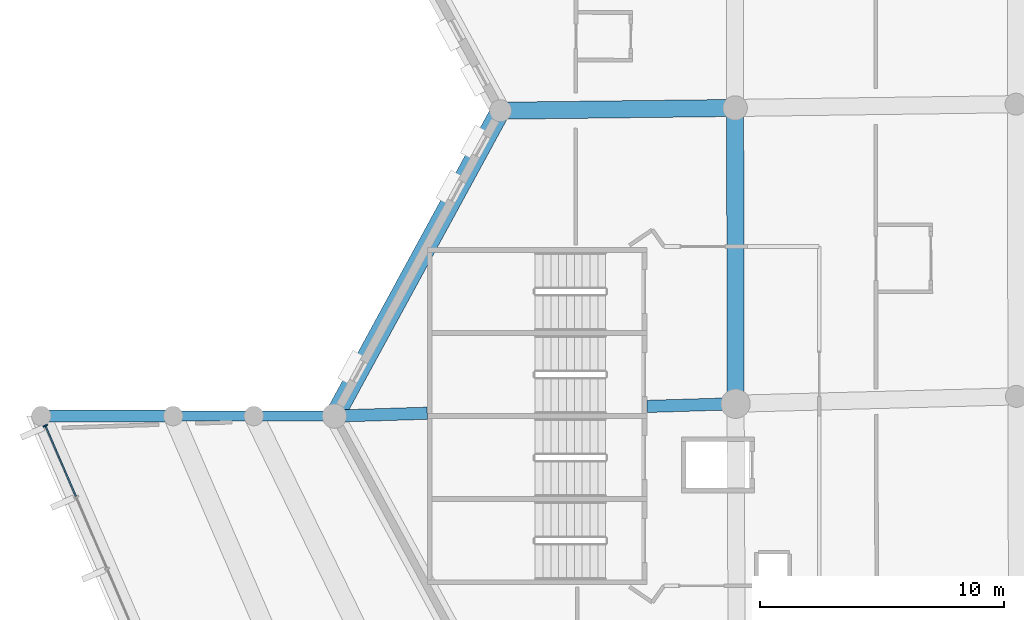
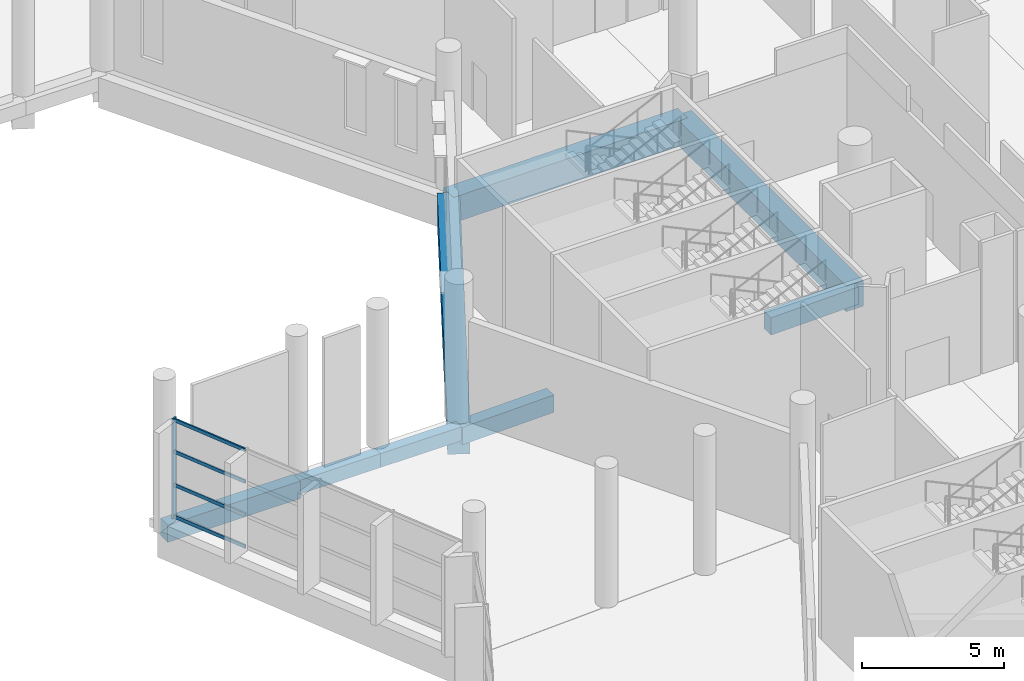
# One storey, part 24 of 249: 8 beams, 5 members, 1 element without a shape of its own.
"""IFC4 building model written with IfcOpenShell, lengths in metres."""

from ifc_helpers import new_model, si_unit, direction, frame, origin, origin_2d, place, context, subcontext, project, spatial, rectangle, extrude, material, layer, layer_set, material_profile, profile_set, type_object, element, aggregate, save


model = new_model("IFC4")

# Units and contexts
model_context = context("Model", 3, precision=1e-05, world=origin(), true_north=direction((0.0, 1.0)))
body_context = subcontext(model_context, "Body", "Model", "MODEL_VIEW")
ifc_project = project(units=[si_unit("LENGTHUNIT", "METRE"), si_unit("AREAUNIT", "SQUARE_METRE"), si_unit("VOLUMEUNIT", "CUBIC_METRE"), si_unit("PLANEANGLEUNIT", "RADIAN"), si_unit("MASSUNIT", "GRAM", prefix="KILO")], contexts=[model_context])

# Site, building, storey
site_placement = place(None, origin())
site = spatial("IfcSite", under=ifc_project, at=site_placement, CompositionType="ELEMENT")
building_placement = place(site_placement, origin())
building = spatial("IfcBuilding", under=site, at=building_placement, Name="Meseta Stadium", CompositionType="ELEMENT")
storey_placement = place(building_placement, frame((0.0, 0.0, 12.0)))
storey = spatial("IfcBuildingStorey", under=building, at=storey_placement, Name="L02", CompositionType="ELEMENT", Elevation=12.0)

# Beams
ifc_material_1 = material(Name="Concrete C40/50", Category="concrete")
ifc_material_profile_1 = material_profile(ifc_material_1, rectangle(XDim=0.39990234375, YDim=0.60009765625, at=origin_2d()), Name="RC 400x600")
ifc_profile_set_1 = profile_set([ifc_material_profile_1], Name="Concrete C40/50")
beam_type_1 = type_object("IfcBeamType", Name="RC beam 400x600", PredefinedType="BEAM", material=ifc_profile_set_1)
for number, where, z_axis, x_axis, name in (
    (1, (-101.39990234375, -18.75, -0.64990234375), (-1.0, 0.0, 0.0), (0.0, -1.0, 0.0), "L02 radial beam frame 34 line R to M"),
    (2, (-104.699951171875, -18.75, -0.64990234375), (-1.0, 0.0, 0.0), (0.0, -1.0, 0.0), "L02 radial beam frame 34 line M to Q"),
):
    element("IfcBeam", number, at=place(storey_placement, frame(where, z_axis=z_axis, x_axis=x_axis)), inside=storey, type_object=beam_type_1, Name=name, PredefinedType="BEAM", context=body_context, shape_type="SweptSolid", body=[
        extrude(rectangle(XDim=0.39990234375, YDim=0.60009765625, at=origin_2d()), origin(), (0.0, 0.0, 1.0), 3.300048828125),
    ])
ifc_material_2 = material(Name="Concrete C40/50", Category="concrete")
ifc_material_profile_2 = material_profile(ifc_material_2, rectangle(XDim=0.5, YDim=0.75, at=origin_2d()), Name="RC 500x750")
ifc_profile_set_2 = profile_set([ifc_material_profile_2], Name="Concrete C40/50")
beam_type_2 = type_object("IfcBeamType", Name="RC beam 500x750", PredefinedType="BEAM", material=ifc_profile_set_2)
beam_1_placement = place(storey_placement, frame((-84.978515625, -18.24365234375, -0.72509765625), z_axis=(-0.999525783299, -0.030792994672, 0.0), x_axis=(0.030792994672, -0.999525783299, 0.0)))
element("IfcBeam", 3, at=beam_1_placement, inside=storey, type_object=beam_type_2, Name="L02 radial beam frame 34 line P to R", PredefinedType="BEAM", context=body_context, shape_type="SweptSolid", body=[
    extrude(rectangle(XDim=0.5, YDim=0.75, at=origin_2d()), origin(), (0.0, 0.0, 1.0), 3.623291015625),
])
beam_2_placement = place(storey_placement, frame((-97.60009765625, -18.6328125, -0.72509765625), z_axis=(-0.99952477381, -0.030825744759, 0.0), x_axis=(0.030825744759, -0.99952477381, 0.0)))
element("IfcBeam", 4, at=beam_2_placement, inside=storey, type_object=beam_type_2, Name="L02 radial beam frame 34 line P to R", PredefinedType="BEAM", context=body_context, shape_type="SweptSolid", body=[
    extrude(rectangle(XDim=0.5, YDim=0.75, at=origin_2d()), origin(), (0.0, 0.0, 1.0), 3.801513671875),
])
beam_3_placement = place(storey_placement, frame((-108.0, -18.75, -0.72509765625), z_axis=(-1.0, 0.0, 0.0), x_axis=(0.0, -1.0, 0.0)))
element("IfcBeam", 5, at=beam_3_placement, inside=storey, type_object=beam_type_2, Name="L02 radial beam frame 34 line Q to O", PredefinedType="BEAM", context=body_context, shape_type="SweptSolid", body=[
    extrude(rectangle(XDim=0.5, YDim=0.75, at=origin_2d()), origin(), (0.0, 0.0, 1.0), 5.39990234375),
])
ifc_material_3 = material(Name="Concrete C40/50", Category="concrete")
ifc_material_profile_3 = material_profile(ifc_material_3, rectangle(XDim=0.699951171875, YDim=1.10009765625, at=origin_2d()), Name="RC 700x1100")
ifc_profile_set_3 = profile_set([ifc_material_profile_3], Name="Concrete C40/50")
beam_type_3 = type_object("IfcBeamType", Name="RC beam 700x1100", PredefinedType="BEAM", material=ifc_profile_set_3)
beam_4_placement = place(storey_placement, frame((-84.9970703125, -6.13720703125, -0.89990234375), z_axis=(0.001532627062, -0.999998825526, 0.0), x_axis=(0.999998825526, 0.001532627062, 0.0)))
element("IfcBeam", 6, at=beam_4_placement, inside=storey, type_object=beam_type_3, Name="L02 ring beam frame 33 line P", PredefinedType="BEAM", context=body_context, shape_type="SweptSolid", body=[
    extrude(rectangle(XDim=0.699951171875, YDim=1.10009765625, at=origin_2d()), origin(), (0.0, 0.0, 1.0), 12.1064453125),
])
beam_5_placement = place(storey_placement, frame((-84.9970703125, -6.13720703125, -0.89990234375), z_axis=(-0.999931028004, -0.01174475352, 0.0), x_axis=(0.01174475352, -0.999931028004, 0.0)))
element("IfcBeam", 7, at=beam_5_placement, inside=storey, type_object=beam_type_3, Name="L02 radial beam frame 33 line P to R", PredefinedType="BEAM", context=body_context, shape_type="SweptSolid", body=[
    extrude(rectangle(XDim=0.699951171875, YDim=1.10009765625, at=origin_2d()), origin(), (0.0, 0.0, 1.0), 9.603759765625),
])
ifc_material_4 = material(Name="Concrete C40/50", Category="concrete")
ifc_material_profile_4 = material_profile(ifc_material_4, rectangle(XDim=0.800048828125, YDim=1.300048828125, at=origin_2d()), Name="RC 800x1300")
ifc_profile_set_4 = profile_set([ifc_material_profile_4], Name="Concrete C40/50")
beam_type_4 = type_object("IfcBeamType", Name="RC beam 800x1300", PredefinedType="BEAM", material=ifc_profile_set_4)
beam_6_placement = place(storey_placement, frame((-94.60009765625, -6.25, -1.0), z_axis=(-0.47785649891, -0.878437912689, 0.0), x_axis=(0.878437912689, -0.47785649891, 0.0)))
element("IfcBeam", 8, at=beam_6_placement, inside=storey, type_object=beam_type_4, Name="L02 ring beam frame 33 line R", PredefinedType="BEAM", context=body_context, shape_type="SweptSolid", body=[
    extrude(rectangle(XDim=0.800048828125, YDim=1.300048828125, at=origin_2d()), origin(), (0.0, 0.0, 1.0), 14.229736328125),
])

# Curtain wall, members
ifc_material_5 = material(Name="Aluminium", Category="aluminium")
ifc_layer = layer(ifc_material_5, 0.199951171875)
ifc_layer_set = layer_set([ifc_layer], Name="Ring shopfront curtain wall")
curtain_wall_type = type_object("IfcCurtainWallType", Name="Ring shopfront curtain wall", PredefinedType="NOTDEFINED", material=ifc_layer_set)
curtain_wall_placement = place(storey_placement, origin())
curtain_wall = element("IfcCurtainWall", 9, at=curtain_wall_placement, inside=storey, type_object=curtain_wall_type, Name="Ring glazing L02 F34", PredefinedType="NOTDEFINED")
ifc_material_6 = material(Name="Aluminium", Category="aluminium")
ifc_material_profile_5 = material_profile(ifc_material_6, rectangle(XDim=0.199951171875, YDim=0.06005859375, at=origin_2d()), Name="CW 200x60")
ifc_profile_set_5 = profile_set([ifc_material_profile_5], Name="Aluminium")
member_type_1 = type_object("IfcMemberType", Name="Ring CW mullion 60x200", PredefinedType="MULLION", material=ifc_profile_set_5)
member_1_placement = place(storey_placement, frame((-113.2294921875, -19.144775390625, 0.0), z_axis=(0.0, 0.0, 1.0), x_axis=(0.91799986854, 0.396580687073, 0.0)))
member_1 = element("IfcMember", 10, at=member_1_placement, type_object=member_type_1, Name="CWR1 mullion 1", PredefinedType="MULLION", context=body_context, shape_type="SweptSolid", body=[
    extrude(rectangle(XDim=0.199951171875, YDim=0.06005859375, at=origin_2d()), origin(), (0.0, 0.0, 1.0), 4.300048828125),
])
ifc_material_7 = material(Name="Aluminium", Category="aluminium")
ifc_material_profile_6 = material_profile(ifc_material_7, rectangle(XDim=0.06005859375, YDim=0.14990234375, at=origin_2d()), Name="CW 60x150")
ifc_profile_set_6 = profile_set([ifc_material_profile_6], Name="Aluminium")
member_type_2 = type_object("IfcMemberType", Name="Ring CW transom 60x150", PredefinedType="USERDEFINED", material=ifc_profile_set_6)
member_2_placement = place(storey_placement, frame((-113.217529296875, -19.17236328125, 0.074951171875), z_axis=(0.396557660608, -0.91800981575, 0.0), x_axis=(0.91800981575, 0.396557660608, 0.0)))
member_2 = element("IfcMember", 11, at=member_2_placement, type_object=member_type_2, Name="CWR1 transom 1.1", ObjectType="TRANSOM", PredefinedType="USERDEFINED", context=body_context, shape_type="SweptSolid", body=[
    extrude(rectangle(XDim=0.06005859375, YDim=0.14990234375, at=origin_2d()), origin(), (0.0, 0.0, 1.0), 3.114013671875),
])
member_3_placement = place(storey_placement, frame((-113.217529296875, -19.17236328125, 1.433349609375), z_axis=(0.396557660608, -0.91800981575, 0.0), x_axis=(0.91800981575, 0.396557660608, 0.0)))
member_3 = element("IfcMember", 12, at=member_3_placement, type_object=member_type_2, Name="CWR1 transom 1.2", ObjectType="TRANSOM", PredefinedType="USERDEFINED", context=body_context, shape_type="SweptSolid", body=[
    extrude(rectangle(XDim=0.06005859375, YDim=0.14990234375, at=origin_2d()), origin(), (0.0, 0.0, 1.0), 3.114013671875),
])
member_4_placement = place(storey_placement, frame((-113.217529296875, -19.17236328125, 2.86669921875), z_axis=(0.396557660608, -0.91800981575, 0.0), x_axis=(0.91800981575, 0.396557660608, 0.0)))
member_4 = element("IfcMember", 13, at=member_4_placement, type_object=member_type_2, Name="CWR1 transom 1.3", ObjectType="TRANSOM", PredefinedType="USERDEFINED", context=body_context, shape_type="SweptSolid", body=[
    extrude(rectangle(XDim=0.06005859375, YDim=0.14990234375, at=origin_2d()), origin(), (0.0, 0.0, 1.0), 3.114013671875),
])
member_5_placement = place(storey_placement, frame((-113.217529296875, -19.17236328125, 4.22509765625), z_axis=(0.396557660608, -0.91800981575, 0.0), x_axis=(0.91800981575, 0.396557660608, 0.0)))
member_5 = element("IfcMember", 14, at=member_5_placement, type_object=member_type_2, Name="CWR1 transom 1.4", ObjectType="TRANSOM", PredefinedType="USERDEFINED", context=body_context, shape_type="SweptSolid", body=[
    extrude(rectangle(XDim=0.06005859375, YDim=0.14990234375, at=origin_2d()), origin(), (0.0, 0.0, 1.0), 3.114013671875),
])
aggregate(curtain_wall, [member_1, member_2, member_3, member_4, member_5])

save(model, "model.ifc")
